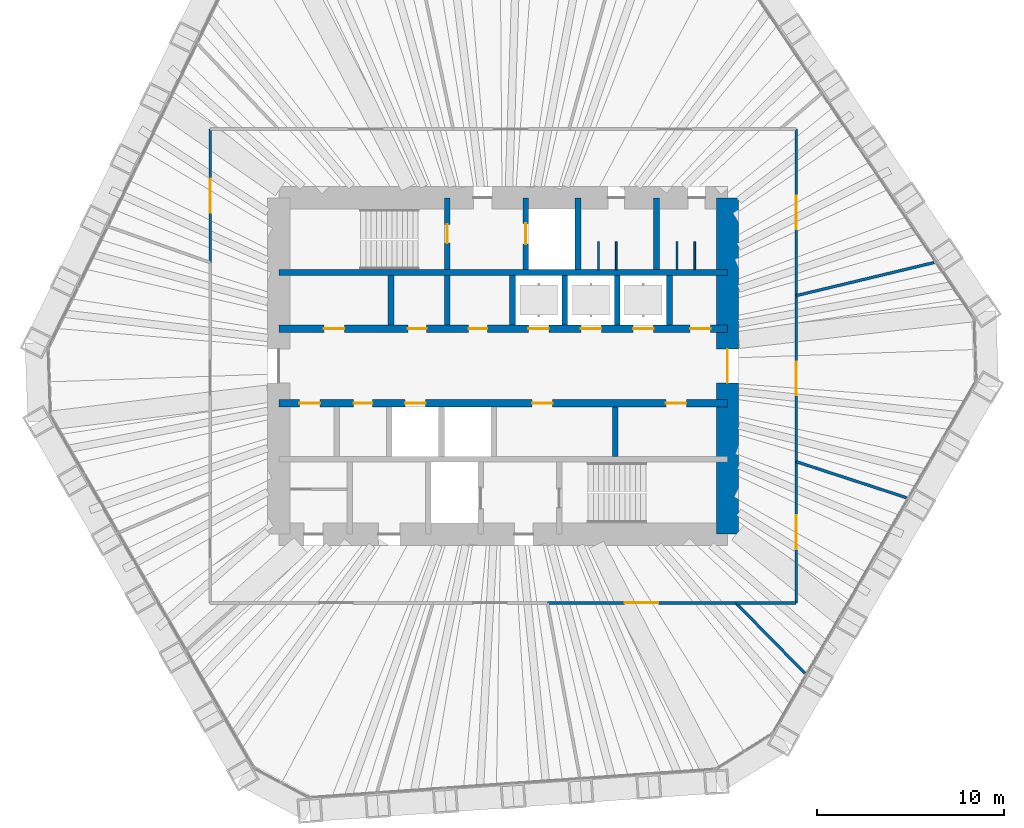
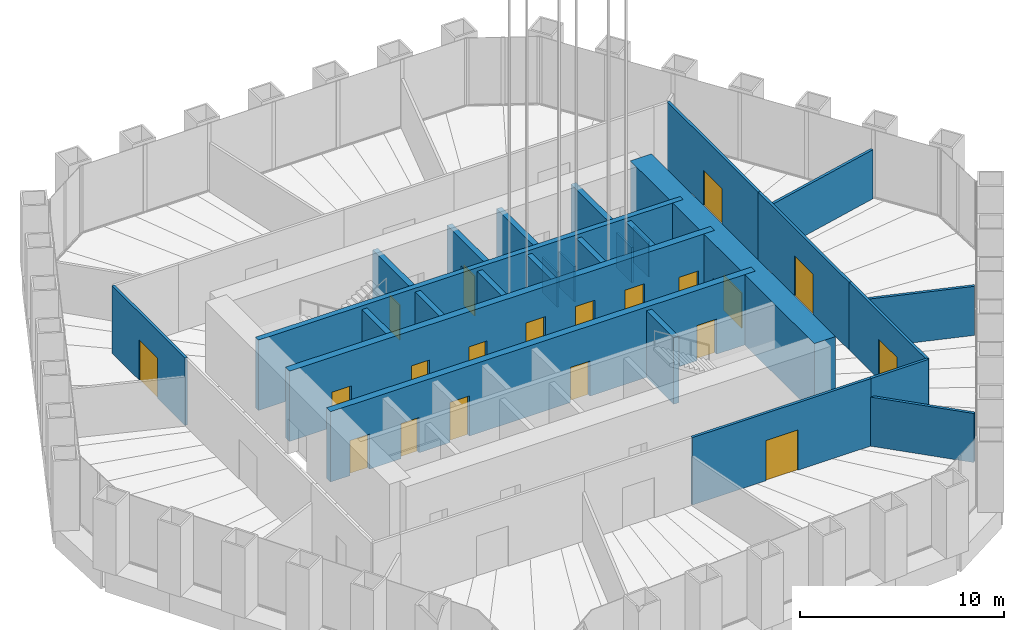
# One storey, part 11 of 20: 28 walls, 20 doors, 20 openings.
"""IFC4 building model written with IfcOpenShell, lengths in metres."""

from ifc_helpers import new_model, si_unit, direction, frame, frame_2d, origin, place, context, subcontext, project, spatial, rectangle, extrude, material, layer, layer_set, type_object, element, fill, save


model = new_model("IFC4")

# Units and contexts
model_context = context("Model", 3, precision=1e-05, world=origin(), true_north=direction((0.0, 1.0)))
body_context = subcontext(model_context, "Body", "Model", "MODEL_VIEW")
ifc_project = project(units=[si_unit("LENGTHUNIT", "METRE"), si_unit("AREAUNIT", "SQUARE_METRE"), si_unit("VOLUMEUNIT", "CUBIC_METRE"), si_unit("PLANEANGLEUNIT", "RADIAN"), si_unit("MASSUNIT", "GRAM", prefix="KILO")], contexts=[model_context])

# Site, building, storey
site_placement = place(None, origin())
site = spatial("IfcSite", under=ifc_project, at=site_placement, CompositionType="ELEMENT")
building_placement = place(site_placement, origin())
building = spatial("IfcBuilding", under=site, at=building_placement, Name="Qingtian Harvest Tower", CompositionType="ELEMENT")
storey_placement = place(building_placement, frame((0.0, 0.0, 180.39990234375)))
storey = spatial("IfcBuildingStorey", under=building, at=storey_placement, Name="L38", CompositionType="ELEMENT", Elevation=180.39990234375)

# Wall
ifc_material_1 = material(Name="Concrete fc' 70 MPa", Category="concrete")
ifc_layer_1 = layer(ifc_material_1, 0.300048828125)
ifc_layer_set_1 = layer_set([ifc_layer_1], Name="Core inner wall RC5 300")
wall_type_1 = type_object("IfcWallType", Name="Core inner wall RC5 300", PredefinedType="SHEAR", material=ifc_layer_set_1)
wall_1_placement = place(storey_placement, frame((-12.0, 5.0, 0.0), z_axis=(0.0, 0.0, 1.0), x_axis=(1.0, 0.0, 0.0)))
element("IfcWall", 1, at=wall_1_placement, inside=storey, type_object=wall_type_1, Name="Core wall IN5 L38", PredefinedType="SHEAR", context=body_context, shape_type="SweptSolid", body=[
    extrude(rectangle(XDim=24.0, YDim=0.300048828125, at=frame_2d((12.0, 0.0))), origin(), (0.0, 0.0, 1.0), 4.2001953125),
])

# Wall, openings, doors
ifc_material_2 = material(Name="Concrete fc' 70 MPa", Category="concrete")
ifc_layer_2 = layer(ifc_material_2, 0.39990234375)
ifc_layer_set_2 = layer_set([ifc_layer_2], Name="Core inner web RC6 400")
wall_type_2 = type_object("IfcWallType", Name="Core inner web RC6 400", PredefinedType="SHEAR", material=ifc_layer_set_2)
wall_2_placement = place(storey_placement, frame((-12.0, 2.0, 0.0), z_axis=(0.0, 0.0, 1.0), x_axis=(1.0, 0.0, 0.0)))
wall_2 = element("IfcWall", 2, at=wall_2_placement, inside=storey, type_object=wall_type_2, Name="Core wall IN2 L38", PredefinedType="SHEAR", context=body_context, shape_type="SweptSolid", body=[
    extrude(rectangle(XDim=24.0, YDim=0.39990234375, at=frame_2d((12.0, 0.0))), origin(), (0.0, 0.0, 1.0), 4.2001953125),
])
opening_1_placement = place(wall_2_placement, frame((2.39990234375, 0.0, 0.0)))
opening_1 = element("IfcOpeningElement", 3, at=opening_1_placement, cuts=wall_2, Name="Opening FD4", PredefinedType="OPENING", context=body_context, shape_type="SweptSolid", body=[
    extrude(rectangle(XDim=1.10009765625, YDim=2.10009765625, at=frame_2d((0.550048828125, 1.050048828125))), frame((0.0, 0.2099609375, 0.0), z_axis=(0.0, -1.0, 0.0), x_axis=(1.0, 0.0, 0.0)), (0.0, 0.0, 1.0), 0.419921875),
])
opening_2_placement = place(wall_2_placement, frame((22.0, 0.0, 0.0)))
opening_2 = element("IfcOpeningElement", 4, at=opening_2_placement, cuts=wall_2, Name="Opening FD4", PredefinedType="OPENING", context=body_context, shape_type="SweptSolid", body=[
    extrude(rectangle(XDim=1.10009765625, YDim=2.10009765625, at=frame_2d((0.550048828125, 1.050048828125))), frame((0.0, 0.2099609375, 0.0), z_axis=(0.0, -1.0, 0.0), x_axis=(1.0, 0.0, 0.0)), (0.0, 0.0, 1.0), 0.419921875),
])
opening_3_placement = place(wall_2_placement, frame((10.14990234375, 0.0, 0.0)))
opening_3 = element("IfcOpeningElement", 5, at=opening_3_placement, cuts=wall_2, Name="Opening FD1", PredefinedType="OPENING", context=body_context, shape_type="SweptSolid", body=[
    extrude(rectangle(XDim=1.0, YDim=2.10009765625, at=frame_2d((0.5, 1.050048828125))), frame((0.0, 0.2099609375, 0.0), z_axis=(0.0, -1.0, 0.0), x_axis=(1.0, 0.0, 0.0)), (0.0, 0.0, 1.0), 0.419921875),
])
opening_4_placement = place(wall_2_placement, frame((6.89990234375, 0.0, 0.0)))
opening_4 = element("IfcOpeningElement", 6, at=opening_4_placement, cuts=wall_2, Name="Opening FD1", PredefinedType="OPENING", context=body_context, shape_type="SweptSolid", body=[
    extrude(rectangle(XDim=1.0, YDim=2.10009765625, at=frame_2d((0.5, 1.050048828125))), frame((0.0, 0.2099609375, 0.0), z_axis=(0.0, -1.0, 0.0), x_axis=(1.0, 0.0, 0.0)), (0.0, 0.0, 1.0), 0.419921875),
])
opening_5_placement = place(wall_2_placement, frame((13.35009765625, 0.0, 0.0)))
opening_5 = element("IfcOpeningElement", 7, at=opening_5_placement, cuts=wall_2, Name="Opening LD1", PredefinedType="OPENING", context=body_context, shape_type="SweptSolid", body=[
    extrude(rectangle(XDim=1.10009765625, YDim=2.39990234375, at=frame_2d((0.550048828125, 1.199951171875))), frame((0.0, 0.2099609375, 0.0), z_axis=(0.0, -1.0, 0.0), x_axis=(1.0, 0.0, 0.0)), (0.0, 0.0, 1.0), 0.419921875),
])
opening_6_placement = place(wall_2_placement, frame((16.14990234375, 0.0, 0.0)))
opening_6 = element("IfcOpeningElement", 8, at=opening_6_placement, cuts=wall_2, Name="Opening LD1", PredefinedType="OPENING", context=body_context, shape_type="SweptSolid", body=[
    extrude(rectangle(XDim=1.10009765625, YDim=2.39990234375, at=frame_2d((0.550048828125, 1.199951171875))), frame((0.0, 0.2099609375, 0.0), z_axis=(0.0, -1.0, 0.0), x_axis=(1.0, 0.0, 0.0)), (0.0, 0.0, 1.0), 0.419921875),
])
opening_7_placement = place(wall_2_placement, frame((18.949951171875, 0.0, 0.0)))
opening_7 = element("IfcOpeningElement", 9, at=opening_7_placement, cuts=wall_2, Name="Opening LD1", PredefinedType="OPENING", context=body_context, shape_type="SweptSolid", body=[
    extrude(rectangle(XDim=1.10009765625, YDim=2.39990234375, at=frame_2d((0.550048828125, 1.199951171875))), frame((0.0, 0.2099609375, 0.0), z_axis=(0.0, -1.0, 0.0), x_axis=(1.0, 0.0, 0.0)), (0.0, 0.0, 1.0), 0.419921875),
])
ifc_material_3 = material(Name="Steel-faced door leaf", Category="steel")
door_type_1 = type_object("IfcDoorType", Name="Fire door FD1 single 1 HR", OperationType="SINGLE_SWING_LEFT", PredefinedType="DOOR", material=ifc_material_3)
door_1_placement = place(opening_3_placement, origin())
door_1 = element("IfcDoor", 10, at=door_1_placement, inside=storey, type_object=door_type_1, Name="STA door L38", OperationType="SINGLE_SWING_RIGHT", OverallHeight=2.10009765625, OverallWidth=1.0, PredefinedType="DOOR", context=body_context, shape_type="SweptSolid", body=[
    extrude(rectangle(XDim=1.0, YDim=2.10009765625, at=frame_2d((0.5, 1.050048828125))), frame((0.0, 0.02490234375, 0.0), z_axis=(0.0, -1.0, 0.0), x_axis=(1.0, 0.0, 0.0)), (0.0, 0.0, 1.0), 0.050048828125),
])
fill(opening_3, door_1)
door_2_placement = place(opening_4_placement, origin())
door_2 = element("IfcDoor", 11, at=door_2_placement, inside=storey, type_object=door_type_1, Name="IT room door L38", OperationType="SINGLE_SWING_LEFT", OverallHeight=2.10009765625, OverallWidth=1.0, PredefinedType="DOOR", context=body_context, shape_type="SweptSolid", body=[
    extrude(rectangle(XDim=1.0, YDim=2.10009765625, at=frame_2d((0.5, 1.050048828125))), frame((0.0, 0.02490234375, 0.0), z_axis=(0.0, -1.0, 0.0), x_axis=(1.0, 0.0, 0.0)), (0.0, 0.0, 1.0), 0.050048828125),
])
fill(opening_4, door_2)
ifc_material_4 = material(Name="Steel-faced door leaf", Category="steel")
door_type_2 = type_object("IfcDoorType", Name="Fire door FD4 single 2 HR", OperationType="SINGLE_SWING_LEFT", PredefinedType="DOOR", material=ifc_material_4)
door_3_placement = place(opening_1_placement, origin())
door_3 = element("IfcDoor", 12, at=door_3_placement, inside=storey, type_object=door_type_2, Name="RA door L38", OperationType="SINGLE_SWING_RIGHT", OverallHeight=2.10009765625, OverallWidth=1.10009765625, PredefinedType="DOOR", context=body_context, shape_type="SweptSolid", body=[
    extrude(rectangle(XDim=1.10009765625, YDim=2.10009765625, at=frame_2d((0.550048828125, 1.050048828125))), frame((0.0, 0.02490234375, 0.0), z_axis=(0.0, -1.0, 0.0), x_axis=(1.0, 0.0, 0.0)), (0.0, 0.0, 1.0), 0.050048828125),
])
fill(opening_1, door_3)
door_4_placement = place(opening_2_placement, origin())
door_4 = element("IfcDoor", 13, at=door_4_placement, inside=storey, type_object=door_type_2, Name="AHU door L38", OperationType="SINGLE_SWING_LEFT", OverallHeight=2.10009765625, OverallWidth=1.10009765625, PredefinedType="DOOR", context=body_context, shape_type="SweptSolid", body=[
    extrude(rectangle(XDim=1.10009765625, YDim=2.10009765625, at=frame_2d((0.550048828125, 1.050048828125))), frame((0.0, 0.02490234375, 0.0), z_axis=(0.0, -1.0, 0.0), x_axis=(1.0, 0.0, 0.0)), (0.0, 0.0, 1.0), 0.050048828125),
])
fill(opening_2, door_4)
ifc_material_5 = material(Name="Stainless steel lift landing door", Category="steel")
door_type_3 = type_object("IfcDoorType", Name="Lift landing door LD1 1 HR", OperationType="DOUBLE_DOOR_SLIDING", PredefinedType="DOOR", material=ifc_material_5)
door_5_placement = place(opening_5_placement, origin())
door_5 = element("IfcDoor", 14, at=door_5_placement, inside=storey, type_object=door_type_3, Name="PLC1 landing door L38", OperationType="DOUBLE_DOOR_SLIDING", OverallHeight=2.39990234375, OverallWidth=1.10009765625, PredefinedType="DOOR", context=body_context, shape_type="SweptSolid", body=[
    extrude(rectangle(XDim=1.10009765625, YDim=2.39990234375, at=frame_2d((0.550048828125, 1.199951171875))), frame((0.0, 0.02490234375, 0.0), z_axis=(0.0, -1.0, 0.0), x_axis=(1.0, 0.0, 0.0)), (0.0, 0.0, 1.0), 0.050048828125),
])
fill(opening_5, door_5)
door_6_placement = place(opening_6_placement, origin())
door_6 = element("IfcDoor", 15, at=door_6_placement, inside=storey, type_object=door_type_3, Name="PLC2 landing door L38", OperationType="DOUBLE_DOOR_SLIDING", OverallHeight=2.39990234375, OverallWidth=1.10009765625, PredefinedType="DOOR", context=body_context, shape_type="SweptSolid", body=[
    extrude(rectangle(XDim=1.10009765625, YDim=2.39990234375, at=frame_2d((0.550048828125, 1.199951171875))), frame((0.0, 0.02490234375, 0.0), z_axis=(0.0, -1.0, 0.0), x_axis=(1.0, 0.0, 0.0)), (0.0, 0.0, 1.0), 0.050048828125),
])
fill(opening_6, door_6)
door_7_placement = place(opening_7_placement, origin())
door_7 = element("IfcDoor", 16, at=door_7_placement, inside=storey, type_object=door_type_3, Name="PLC3 landing door L38", OperationType="DOUBLE_DOOR_SLIDING", OverallHeight=2.39990234375, OverallWidth=1.10009765625, PredefinedType="DOOR", context=body_context, shape_type="SweptSolid", body=[
    extrude(rectangle(XDim=1.10009765625, YDim=2.39990234375, at=frame_2d((0.550048828125, 1.199951171875))), frame((0.0, 0.02490234375, 0.0), z_axis=(0.0, -1.0, 0.0), x_axis=(1.0, 0.0, 0.0)), (0.0, 0.0, 1.0), 0.050048828125),
])
fill(opening_7, door_7)

wall_3_placement = place(storey_placement, frame((-12.0, -2.0, 0.0), z_axis=(0.0, 0.0, 1.0), x_axis=(1.0, 0.0, 0.0)))
wall_3 = element("IfcWall", 17, at=wall_3_placement, inside=storey, type_object=wall_type_2, Name="Core wall IS2 L38", PredefinedType="SHEAR", context=body_context, shape_type="SweptSolid", body=[
    extrude(rectangle(XDim=24.0, YDim=0.39990234375, at=frame_2d((12.0, 0.0))), origin(), (0.0, 0.0, 1.0), 4.2001953125),
])
opening_8_placement = place(wall_3_placement, frame((1.10009765625, 0.0, 0.0)))
opening_8 = element("IfcOpeningElement", 18, at=opening_8_placement, cuts=wall_3, Name="Opening FD4", PredefinedType="OPENING", context=body_context, shape_type="SweptSolid", body=[
    extrude(rectangle(XDim=1.10009765625, YDim=2.10009765625, at=frame_2d((0.550048828125, 1.050048828125))), frame((0.0, 0.2099609375, 0.0), z_axis=(0.0, -1.0, 0.0), x_axis=(1.0, 0.0, 0.0)), (0.0, 0.0, 1.0), 0.419921875),
])
opening_9_placement = place(wall_3_placement, frame((13.550048828125, 0.0, 0.0)))
opening_9 = element("IfcOpeningElement", 19, at=opening_9_placement, cuts=wall_3, Name="Opening FD4", PredefinedType="OPENING", context=body_context, shape_type="SweptSolid", body=[
    extrude(rectangle(XDim=1.10009765625, YDim=2.10009765625, at=frame_2d((0.550048828125, 1.050048828125))), frame((0.0, 0.2099609375, 0.0), z_axis=(0.0, -1.0, 0.0), x_axis=(1.0, 0.0, 0.0)), (0.0, 0.0, 1.0), 0.419921875),
])
opening_10_placement = place(wall_3_placement, frame((20.699951171875, 0.0, 0.0)))
opening_10 = element("IfcOpeningElement", 20, at=opening_10_placement, cuts=wall_3, Name="Opening FD4", PredefinedType="OPENING", context=body_context, shape_type="SweptSolid", body=[
    extrude(rectangle(XDim=1.10009765625, YDim=2.10009765625, at=frame_2d((0.550048828125, 1.050048828125))), frame((0.0, 0.2099609375, 0.0), z_axis=(0.0, -1.0, 0.0), x_axis=(1.0, 0.0, 0.0)), (0.0, 0.0, 1.0), 0.419921875),
])
opening_11_placement = place(wall_3_placement, frame((4.0, 0.0, 0.0)))
opening_11 = element("IfcOpeningElement", 21, at=opening_11_placement, cuts=wall_3, Name="Opening FD1", PredefinedType="OPENING", context=body_context, shape_type="SweptSolid", body=[
    extrude(rectangle(XDim=1.0, YDim=2.10009765625, at=frame_2d((0.5, 1.050048828125))), frame((0.0, 0.2099609375, 0.0), z_axis=(0.0, -1.0, 0.0), x_axis=(1.0, 0.0, 0.0)), (0.0, 0.0, 1.0), 0.419921875),
])
opening_12_placement = place(wall_3_placement, frame((6.75, 0.0, 0.0)))
opening_12 = element("IfcOpeningElement", 22, at=opening_12_placement, cuts=wall_3, Name="Opening LD1", PredefinedType="OPENING", context=body_context, shape_type="SweptSolid", body=[
    extrude(rectangle(XDim=1.10009765625, YDim=2.39990234375, at=frame_2d((0.550048828125, 1.199951171875))), frame((0.0, 0.2099609375, 0.0), z_axis=(0.0, -1.0, 0.0), x_axis=(1.0, 0.0, 0.0)), (0.0, 0.0, 1.0), 0.419921875),
])
door_8_placement = place(opening_11_placement, origin())
door_8 = element("IfcDoor", 23, at=door_8_placement, inside=storey, type_object=door_type_1, Name="Archive store door L38", OperationType="SINGLE_SWING_LEFT", OverallHeight=2.10009765625, OverallWidth=1.0, PredefinedType="DOOR", context=body_context, shape_type="SweptSolid", body=[
    extrude(rectangle(XDim=1.0, YDim=2.10009765625, at=frame_2d((0.5, 1.050048828125))), frame((0.0, 0.02490234375, 0.0), z_axis=(0.0, -1.0, 0.0), x_axis=(1.0, 0.0, 0.0)), (0.0, 0.0, 1.0), 0.050048828125),
])
fill(opening_11, door_8)
door_9_placement = place(opening_8_placement, origin())
door_9 = element("IfcDoor", 24, at=door_9_placement, inside=storey, type_object=door_type_2, Name="RB door L38", OperationType="SINGLE_SWING_RIGHT", OverallHeight=2.10009765625, OverallWidth=1.10009765625, PredefinedType="DOOR", context=body_context, shape_type="SweptSolid", body=[
    extrude(rectangle(XDim=1.10009765625, YDim=2.10009765625, at=frame_2d((0.550048828125, 1.050048828125))), frame((0.0, 0.02490234375, 0.0), z_axis=(0.0, -1.0, 0.0), x_axis=(1.0, 0.0, 0.0)), (0.0, 0.0, 1.0), 0.050048828125),
])
fill(opening_8, door_9)
door_10_placement = place(opening_9_placement, origin())
door_10 = element("IfcDoor", 25, at=door_10_placement, inside=storey, type_object=door_type_2, Name="ELEC door L38", OperationType="SINGLE_SWING_RIGHT", OverallHeight=2.10009765625, OverallWidth=1.10009765625, PredefinedType="DOOR", context=body_context, shape_type="SweptSolid", body=[
    extrude(rectangle(XDim=1.10009765625, YDim=2.10009765625, at=frame_2d((0.550048828125, 1.050048828125))), frame((0.0, 0.02490234375, 0.0), z_axis=(0.0, -1.0, 0.0), x_axis=(1.0, 0.0, 0.0)), (0.0, 0.0, 1.0), 0.050048828125),
])
fill(opening_9, door_10)
door_11_placement = place(opening_10_placement, origin())
door_11 = element("IfcDoor", 26, at=door_11_placement, inside=storey, type_object=door_type_2, Name="DUCT door L38", OperationType="SINGLE_SWING_LEFT", OverallHeight=2.10009765625, OverallWidth=1.10009765625, PredefinedType="DOOR", context=body_context, shape_type="SweptSolid", body=[
    extrude(rectangle(XDim=1.10009765625, YDim=2.10009765625, at=frame_2d((0.550048828125, 1.050048828125))), frame((0.0, 0.02490234375, 0.0), z_axis=(0.0, -1.0, 0.0), x_axis=(1.0, 0.0, 0.0)), (0.0, 0.0, 1.0), 0.050048828125),
])
fill(opening_10, door_11)
door_12_placement = place(opening_12_placement, origin())
door_12 = element("IfcDoor", 27, at=door_12_placement, inside=storey, type_object=door_type_3, Name="SH2 landing door L38", OperationType="DOUBLE_DOOR_SLIDING", OverallHeight=2.39990234375, OverallWidth=1.10009765625, PredefinedType="DOOR", context=body_context, shape_type="SweptSolid", body=[
    extrude(rectangle(XDim=1.10009765625, YDim=2.39990234375, at=frame_2d((0.550048828125, 1.199951171875))), frame((0.0, 0.02490234375, 0.0), z_axis=(0.0, -1.0, 0.0), x_axis=(1.0, 0.0, 0.0)), (0.0, 0.0, 1.0), 0.050048828125),
])
fill(opening_12, door_12)

# Wall, opening, door
ifc_material_6 = material(Name="Precast concrete shaft panel", Category="concrete")
ifc_layer_3 = layer(ifc_material_6, 0.300048828125)
ifc_layer_set_3 = layer_set([ifc_layer_3], Name="Core shaft partition SW1 300")
wall_type_3 = type_object("IfcWallType", Name="Core shaft partition SW1 300", PredefinedType="PARTITIONING", material=ifc_layer_set_3)
wall_4_placement = place(storey_placement, frame((-3.0, 5.14990234375, 0.0), z_axis=(0.0, 0.0, 1.0), x_axis=(0.0, 1.0, 0.0)))
wall_4 = element("IfcWall", 28, at=wall_4_placement, inside=storey, type_object=wall_type_3, Name="Core shaft partition XN1 L38", PredefinedType="PARTITIONING", context=body_context, shape_type="SweptSolid", body=[
    extrude(rectangle(XDim=3.85009765625, YDim=0.300048828125, at=frame_2d((1.925048828125, 0.0))), origin(), (0.0, 0.0, 1.0), 3.97998046875),
])
opening_13_placement = place(wall_4_placement, frame((1.425048828125, 0.0, 0.0)))
opening_13 = element("IfcOpeningElement", 29, at=opening_13_placement, cuts=wall_4, Name="Opening FD1", PredefinedType="OPENING", context=body_context, shape_type="SweptSolid", body=[
    extrude(rectangle(XDim=1.0, YDim=2.10009765625, at=frame_2d((0.5, 1.050048828125))), frame((0.0, 0.159912109375, 0.0), z_axis=(0.0, -1.0, 0.0), x_axis=(1.0, 0.0, 0.0)), (0.0, 0.0, 1.0), 0.320068359375),
])
door_13_placement = place(opening_13_placement, origin())
door_13 = element("IfcDoor", 30, at=door_13_placement, inside=storey, type_object=door_type_1, Name="S1 door L38", OperationType="SINGLE_SWING_LEFT", OverallHeight=2.10009765625, OverallWidth=1.0, PredefinedType="DOOR", context=body_context, shape_type="SweptSolid", body=[
    extrude(rectangle(XDim=1.0, YDim=2.10009765625, at=frame_2d((0.5, 1.050048828125))), frame((0.0, 0.02490234375, 0.0), z_axis=(0.0, -1.0, 0.0), x_axis=(1.0, 0.0, 0.0)), (0.0, 0.0, 1.0), 0.050048828125),
])
fill(opening_13, door_13)

wall_5_placement = place(storey_placement, frame((1.199951171875, 5.14990234375, 0.0), z_axis=(0.0, 0.0, 1.0), x_axis=(0.0, 1.0, 0.0)))
wall_5 = element("IfcWall", 31, at=wall_5_placement, inside=storey, type_object=wall_type_3, Name="Core shaft partition XN2 L38", PredefinedType="PARTITIONING", context=body_context, shape_type="SweptSolid", body=[
    extrude(rectangle(XDim=3.85009765625, YDim=0.300048828125, at=frame_2d((1.925048828125, 0.0))), origin(), (0.0, 0.0, 1.0), 3.97998046875),
])
opening_14_placement = place(wall_5_placement, frame((1.375, 0.0, 0.0)))
opening_14 = element("IfcOpeningElement", 32, at=opening_14_placement, cuts=wall_5, Name="Opening LD1", PredefinedType="OPENING", context=body_context, shape_type="SweptSolid", body=[
    extrude(rectangle(XDim=1.10009765625, YDim=2.39990234375, at=frame_2d((0.550048828125, 1.199951171875))), frame((0.0, 0.159912109375, 0.0), z_axis=(0.0, -1.0, 0.0), x_axis=(1.0, 0.0, 0.0)), (0.0, 0.0, 1.0), 0.320068359375),
])
door_14_placement = place(opening_14_placement, origin())
door_14 = element("IfcDoor", 33, at=door_14_placement, inside=storey, type_object=door_type_3, Name="FL1 landing door L38", OperationType="DOUBLE_DOOR_SLIDING", OverallHeight=2.39990234375, OverallWidth=1.10009765625, PredefinedType="DOOR", context=body_context, shape_type="SweptSolid", body=[
    extrude(rectangle(XDim=1.10009765625, YDim=2.39990234375, at=frame_2d((0.550048828125, 1.199951171875))), frame((0.0, 0.02490234375, 0.0), z_axis=(0.0, -1.0, 0.0), x_axis=(1.0, 0.0, 0.0)), (0.0, 0.0, 1.0), 0.050048828125),
])
fill(opening_14, door_14)

# Walls
for number, where, z_axis, x_axis, name in (
    (34, (4.0, 5.14990234375, 0.0), (0.0, 0.0, 1.0), (0.0, 1.0, 0.0), "Core shaft partition XN3 L38"),
    (35, (8.199951171875, 5.14990234375, 0.0), (0.0, 0.0, 1.0), (0.0, 1.0, 0.0), "Core shaft partition XN4 L38"),
):
    element("IfcWall", number, at=place(storey_placement, frame(where, z_axis=z_axis, x_axis=x_axis)), inside=storey, type_object=wall_type_3, Name=name, PredefinedType="PARTITIONING", context=body_context, shape_type="SweptSolid", body=[
        extrude(rectangle(XDim=3.85009765625, YDim=0.300048828125, at=frame_2d((1.925048828125, 0.0))), origin(), (0.0, 0.0, 1.0), 3.97998046875),
    ])
for number, where, z_axis, x_axis, name in (
    (36, (-6.0, 2.199951171875, 0.0), (0.0, 0.0, 1.0), (0.0, 1.0, 0.0), "Core shaft partition XA1 L38"),
    (37, (-3.0, 2.199951171875, 0.0), (0.0, 0.0, 1.0), (0.0, 1.0, 0.0), "Core shaft partition XA2 L38"),
    (38, (0.5, 2.199951171875, 0.0), (0.0, 0.0, 1.0), (0.0, 1.0, 0.0), "Core shaft partition XA3 L38"),
    (39, (3.300048828125, 2.199951171875, 0.0), (0.0, 0.0, 1.0), (0.0, 1.0, 0.0), "Core shaft partition XA4 L38"),
    (40, (6.10009765625, 2.199951171875, 0.0), (0.0, 0.0, 1.0), (0.0, 1.0, 0.0), "Core shaft partition XA5 L38"),
    (41, (8.89990234375, 2.199951171875, 0.0), (0.0, 0.0, 1.0), (0.0, 1.0, 0.0), "Core shaft partition XA6 L38"),
    (42, (6.0, -4.85009765625, 0.0), (0.0, 0.0, 1.0), (0.0, 1.0, 0.0), "Core shaft partition XB5 L38"),
):
    element("IfcWall", number, at=place(storey_placement, frame(where, z_axis=z_axis, x_axis=x_axis)), inside=storey, type_object=wall_type_3, Name=name, PredefinedType="PARTITIONING", context=body_context, shape_type="SweptSolid", body=[
        extrude(rectangle(XDim=2.650146484375, YDim=0.300048828125, at=frame_2d((1.3251953125, 0.0))), origin(), (0.0, 0.0, 1.0), 3.97998046875),
    ])

# Wall, opening, door
ifc_material_7 = material(Name="Concrete fc' 70 MPa", Category="concrete")
ifc_layer_4 = layer(ifc_material_7, 1.199951171875)
ifc_layer_set_4 = layer_set([ifc_layer_4], Name="Core wall RC2 1200")
wall_type_4 = type_object("IfcWallType", Name="Core wall RC2 1200", PredefinedType="SHEAR", material=ifc_layer_set_4)
wall_6_placement = place(storey_placement, frame((12.0, -9.0, 0.0), z_axis=(0.0, 0.0, 1.0), x_axis=(0.0, 1.0, 0.0)))
wall_6 = element("IfcWall", 43, at=wall_6_placement, inside=storey, type_object=wall_type_4, Name="Core wall CE L38", PredefinedType="SHEAR", context=body_context, shape_type="SweptSolid", body=[
    extrude(rectangle(XDim=18.0, YDim=1.199951171875, at=frame_2d((9.0, 0.0))), origin(), (0.0, 0.0, 1.0), 4.2001953125),
])
opening_15_placement = place(wall_6_placement, frame((8.10009765625, 0.0, 0.0)))
opening_15 = element("IfcOpeningElement", 44, at=opening_15_placement, cuts=wall_6, Name="Opening FD2", PredefinedType="OPENING", context=body_context, shape_type="SweptSolid", body=[
    extrude(rectangle(XDim=1.800048828125, YDim=2.10009765625, at=frame_2d((0.89990234375, 1.050048828125))), frame((0.0, 0.60986328125, 0.0), z_axis=(0.0, -1.0, 0.0), x_axis=(1.0, 0.0, 0.0)), (0.0, 0.0, 1.0), 1.219970703125),
])
ifc_material_8 = material(Name="Steel-faced door leaf", Category="steel")
door_type_4 = type_object("IfcDoorType", Name="Fire door FD2 double 1 HR", OperationType="DOUBLE_DOOR_DOUBLE_SWING", PredefinedType="DOOR", material=ifc_material_8)
door_15_placement = place(opening_15_placement, origin())
door_15 = element("IfcDoor", 45, at=door_15_placement, inside=storey, type_object=door_type_4, Name="LOBBY-E door L38", OperationType="DOUBLE_DOOR_DOUBLE_SWING", OverallHeight=2.10009765625, OverallWidth=1.800048828125, PredefinedType="DOOR", context=body_context, shape_type="SweptSolid", body=[
    extrude(rectangle(XDim=1.800048828125, YDim=2.10009765625, at=frame_2d((0.89990234375, 1.050048828125))), frame((0.0, 0.02490234375, 0.0), z_axis=(0.0, -1.0, 0.0), x_axis=(1.0, 0.0, 0.0)), (0.0, 0.0, 1.0), 0.050048828125),
])
fill(opening_15, door_15)

ifc_material_9 = material(Name="Fire-rated gypsum board on steel studs", Category="steel")
ifc_layer_5 = layer(ifc_material_9, 0.14990234375)
ifc_layer_set_5 = layer_set([ifc_layer_5], Name="Fire partition FW3 150 1 HR")
wall_type_5 = type_object("IfcWallType", Name="Fire partition FW3 150 1 HR", PredefinedType="PARTITIONING", material=ifc_layer_set_5)
wall_7_placement = place(storey_placement, frame((15.675048828125, 12.675048828125, 0.0), z_axis=(0.0, 0.0, 1.0), x_axis=(0.0, -1.0, 0.0)))
wall_7 = element("IfcWall", 46, at=wall_7_placement, inside=storey, type_object=wall_type_5, Name="Sky lobby lounge wall L38", PredefinedType="PARTITIONING", context=body_context, shape_type="SweptSolid", body=[
    extrude(rectangle(XDim=8.912353515625, YDim=0.14990234375, at=frame_2d((4.4560546875, 0.0))), origin(), (0.0, 0.0, 1.0), 4.030029296875),
])
opening_16_placement = place(wall_7_placement, frame((3.55615234375, 0.0, 0.0)))
opening_16 = element("IfcOpeningElement", 47, at=opening_16_placement, cuts=wall_7, Name="Opening FD2", PredefinedType="OPENING", context=body_context, shape_type="SweptSolid", body=[
    extrude(rectangle(XDim=1.800048828125, YDim=2.10009765625, at=frame_2d((0.89990234375, 1.050048828125))), frame((0.0, 0.0849609375, 0.0), z_axis=(0.0, -1.0, 0.0), x_axis=(1.0, 0.0, 0.0)), (0.0, 0.0, 1.0), 0.169921875),
])
door_16_placement = place(opening_16_placement, origin())
door_16 = element("IfcDoor", 48, at=door_16_placement, inside=storey, type_object=door_type_4, Name="Sky lobby lounge door L38", OperationType="DOUBLE_DOOR_DOUBLE_SWING", OverallHeight=2.10009765625, OverallWidth=1.800048828125, PredefinedType="DOOR", context=body_context, shape_type="SweptSolid", body=[
    extrude(rectangle(XDim=1.800048828125, YDim=2.10009765625, at=frame_2d((0.89990234375, 1.050048828125))), frame((0.0, 0.02490234375, 0.0), z_axis=(0.0, -1.0, 0.0), x_axis=(1.0, 0.0, 0.0)), (0.0, 0.0, 1.0), 0.050048828125),
])
fill(opening_16, door_16)

# Wall
wall_8_placement = place(storey_placement, frame((23.052978515625, 5.53369140625, 0.0), z_axis=(0.0, 0.0, 1.0), x_axis=(-0.97237853912, -0.233409461376, 0.0)))
element("IfcWall", 49, at=wall_8_placement, inside=storey, type_object=wall_type_5, Name="Conference room wall L38", PredefinedType="PARTITIONING", context=body_context, shape_type="SweptSolid", body=[
    extrude(rectangle(XDim=7.58740234375, YDim=0.14990234375, at=frame_2d((3.793701171875, 0.0))), origin(), (0.0, 0.0, 1.0), 2.93017578125),
])

# Wall, opening, door
ifc_material_10 = material(Name="Gypsum board on steel studs", Category="steel")
ifc_layer_6 = layer(ifc_material_10, 0.14990234375)
ifc_layer_set_6 = layer_set([ifc_layer_6], Name="Partition PT1 150")
wall_type_6 = type_object("IfcWallType", Name="Partition PT1 150", PredefinedType="PARTITIONING", material=ifc_layer_set_6)
wall_9_placement = place(storey_placement, frame((15.675048828125, 3.7626953125, 0.0), z_axis=(0.0, 0.0, 1.0), x_axis=(0.0, -1.0, 0.0)))
wall_9 = element("IfcWall", 50, at=wall_9_placement, inside=storey, type_object=wall_type_6, Name="Conference room wall L38", PredefinedType="PARTITIONING", context=body_context, shape_type="SweptSolid", body=[
    extrude(rectangle(XDim=8.8818359375, YDim=0.14990234375, at=frame_2d((4.44091796875, 0.0))), origin(), (0.0, 0.0, 1.0), 4.030029296875),
])
opening_17_placement = place(wall_9_placement, frame((3.541015625, 0.0, 0.0)))
opening_17 = element("IfcOpeningElement", 51, at=opening_17_placement, cuts=wall_9, Name="Opening D3", PredefinedType="OPENING", context=body_context, shape_type="SweptSolid", body=[
    extrude(rectangle(XDim=1.800048828125, YDim=2.39990234375, at=frame_2d((0.89990234375, 1.199951171875))), frame((0.0, 0.0849609375, 0.0), z_axis=(0.0, -1.0, 0.0), x_axis=(1.0, 0.0, 0.0)), (0.0, 0.0, 1.0), 0.169921875),
])
ifc_material_11 = material(Name="Laminated timber door leaf", Category="wood")
door_type_5 = type_object("IfcDoorType", Name="Room door D3 double", OperationType="DOUBLE_DOOR_DOUBLE_SWING", PredefinedType="DOOR", material=ifc_material_11)
door_17_placement = place(opening_17_placement, origin())
door_17 = element("IfcDoor", 52, at=door_17_placement, inside=storey, type_object=door_type_5, Name="Conference room door L38", OperationType="DOUBLE_DOOR_DOUBLE_SWING", OverallHeight=2.39990234375, OverallWidth=1.800048828125, PredefinedType="DOOR", context=body_context, shape_type="SweptSolid", body=[
    extrude(rectangle(XDim=1.800048828125, YDim=2.39990234375, at=frame_2d((0.89990234375, 1.199951171875))), frame((0.0, 0.02490234375, 0.0), z_axis=(0.0, -1.0, 0.0), x_axis=(1.0, 0.0, 0.0)), (0.0, 0.0, 1.0), 0.050048828125),
])
fill(opening_17, door_17)

# Wall
wall_10_placement = place(storey_placement, frame((21.56982421875, -7.04443359375, 0.0), z_axis=(0.0, 0.0, 1.0), x_axis=(-0.950583168705, 0.310470029754, 0.0)))
element("IfcWall", 53, at=wall_10_placement, inside=storey, type_object=wall_type_6, Name="Reception wall L38", PredefinedType="PARTITIONING", context=body_context, shape_type="SweptSolid", body=[
    extrude(rectangle(XDim=6.201171875, YDim=0.14990234375, at=frame_2d((3.1005859375, 0.0))), origin(), (0.0, 0.0, 1.0), 2.93017578125),
])

# Wall, opening, door
wall_11_placement = place(storey_placement, frame((15.675048828125, -5.119140625, 0.0), z_axis=(0.0, 0.0, 1.0), x_axis=(0.0, -1.0, 0.0)))
wall_11 = element("IfcWall", 54, at=wall_11_placement, inside=storey, type_object=wall_type_6, Name="Reception wall L38", PredefinedType="PARTITIONING", context=body_context, shape_type="SweptSolid", body=[
    extrude(rectangle(XDim=7.555908203125, YDim=0.14990234375, at=frame_2d((3.77783203125, 0.0))), origin(), (0.0, 0.0, 1.0), 4.030029296875),
])
opening_18_placement = place(wall_11_placement, frame((2.8779296875, 0.0, 0.0)))
opening_18 = element("IfcOpeningElement", 55, at=opening_18_placement, cuts=wall_11, Name="Opening D3", PredefinedType="OPENING", context=body_context, shape_type="SweptSolid", body=[
    extrude(rectangle(XDim=1.800048828125, YDim=2.39990234375, at=frame_2d((0.89990234375, 1.199951171875))), frame((0.0, 0.0849609375, 0.0), z_axis=(0.0, -1.0, 0.0), x_axis=(1.0, 0.0, 0.0)), (0.0, 0.0, 1.0), 0.169921875),
])
door_18_placement = place(opening_18_placement, origin())
door_18 = element("IfcDoor", 56, at=door_18_placement, inside=storey, type_object=door_type_5, Name="Reception door L38", OperationType="DOUBLE_DOOR_DOUBLE_SWING", OverallHeight=2.39990234375, OverallWidth=1.800048828125, PredefinedType="DOOR", context=body_context, shape_type="SweptSolid", body=[
    extrude(rectangle(XDim=1.800048828125, YDim=2.39990234375, at=frame_2d((0.89990234375, 1.199951171875))), frame((0.0, 0.02490234375, 0.0), z_axis=(0.0, -1.0, 0.0), x_axis=(1.0, 0.0, 0.0)), (0.0, 0.0, 1.0), 0.050048828125),
])
fill(opening_18, door_18)

# Walls
wall_12_placement = place(storey_placement, frame((15.675048828125, -12.675048828125, 0.0), z_axis=(0.0, 0.0, 1.0), x_axis=(-1.0, 0.0, 0.0)))
element("IfcWall", 57, at=wall_12_placement, inside=storey, type_object=wall_type_6, Name="Reception wall L38", PredefinedType="PARTITIONING", context=body_context, shape_type="SweptSolid", body=[
    extrude(rectangle(XDim=3.231201171875, YDim=0.14990234375, at=frame_2d((1.61572265625, 0.0))), origin(), (0.0, 0.0, 1.0), 4.030029296875),
])
wall_13_placement = place(storey_placement, frame((16.14453125, -16.4443359375, 0.0), z_axis=(0.0, 0.0, 1.0), x_axis=(-0.700583233902, 0.713570691926, 0.0)))
element("IfcWall", 58, at=wall_13_placement, inside=storey, type_object=wall_type_6, Name="Tenant lounge wall L38", PredefinedType="PARTITIONING", context=body_context, shape_type="SweptSolid", body=[
    extrude(rectangle(XDim=5.2822265625, YDim=0.14990234375, at=frame_2d((2.64111328125, 0.0))), origin(), (0.0, 0.0, 1.0), 2.93017578125),
])

# Wall, opening, door
wall_14_placement = place(storey_placement, frame((12.44384765625, -12.675048828125, 0.0), z_axis=(0.0, 0.0, 1.0), x_axis=(-1.0, 0.0, 0.0)))
wall_14 = element("IfcWall", 59, at=wall_14_placement, inside=storey, type_object=wall_type_6, Name="Tenant lounge wall L38", PredefinedType="PARTITIONING", context=body_context, shape_type="SweptSolid", body=[
    extrude(rectangle(XDim=10.082275390625, YDim=0.14990234375, at=frame_2d((5.041015625, 0.0))), origin(), (0.0, 0.0, 1.0), 4.030029296875),
])
opening_19_placement = place(wall_14_placement, frame((4.14111328125, 0.0, 0.0)))
opening_19 = element("IfcOpeningElement", 60, at=opening_19_placement, cuts=wall_14, Name="Opening D3", PredefinedType="OPENING", context=body_context, shape_type="SweptSolid", body=[
    extrude(rectangle(XDim=1.800048828125, YDim=2.39990234375, at=frame_2d((0.89990234375, 1.199951171875))), frame((0.0, 0.0849609375, 0.0), z_axis=(0.0, -1.0, 0.0), x_axis=(1.0, 0.0, 0.0)), (0.0, 0.0, 1.0), 0.169921875),
])
door_19_placement = place(opening_19_placement, origin())
door_19 = element("IfcDoor", 61, at=door_19_placement, inside=storey, type_object=door_type_5, Name="Tenant lounge door L38", OperationType="DOUBLE_DOOR_DOUBLE_SWING", OverallHeight=2.39990234375, OverallWidth=1.800048828125, PredefinedType="DOOR", context=body_context, shape_type="SweptSolid", body=[
    extrude(rectangle(XDim=1.800048828125, YDim=2.39990234375, at=frame_2d((0.89990234375, 1.199951171875))), frame((0.0, 0.02490234375, 0.0), z_axis=(0.0, -1.0, 0.0), x_axis=(1.0, 0.0, 0.0)), (0.0, 0.0, 1.0), 0.050048828125),
])
fill(opening_19, door_19)

wall_15_placement = place(storey_placement, frame((-15.675048828125, 5.5341796875, 0.0), z_axis=(0.0, 0.0, 1.0), x_axis=(0.0, 1.0, 0.0)))
wall_15 = element("IfcWall", 62, at=wall_15_placement, inside=storey, type_object=wall_type_6, Name="Training room wall L38", PredefinedType="PARTITIONING", context=body_context, shape_type="SweptSolid", body=[
    extrude(rectangle(XDim=7.140869140625, YDim=0.14990234375, at=frame_2d((3.5703125, 0.0))), origin(), (0.0, 0.0, 1.0), 4.030029296875),
])
opening_20_placement = place(wall_15_placement, frame((2.67041015625, 0.0, 0.0)))
opening_20 = element("IfcOpeningElement", 63, at=opening_20_placement, cuts=wall_15, Name="Opening D3", PredefinedType="OPENING", context=body_context, shape_type="SweptSolid", body=[
    extrude(rectangle(XDim=1.800048828125, YDim=2.39990234375, at=frame_2d((0.89990234375, 1.199951171875))), frame((0.0, 0.0849609375, 0.0), z_axis=(0.0, -1.0, 0.0), x_axis=(1.0, 0.0, 0.0)), (0.0, 0.0, 1.0), 0.169921875),
])
door_20_placement = place(opening_20_placement, origin())
door_20 = element("IfcDoor", 64, at=door_20_placement, inside=storey, type_object=door_type_5, Name="Training room door L38", OperationType="DOUBLE_DOOR_DOUBLE_SWING", OverallHeight=2.39990234375, OverallWidth=1.800048828125, PredefinedType="DOOR", context=body_context, shape_type="SweptSolid", body=[
    extrude(rectangle(XDim=1.800048828125, YDim=2.39990234375, at=frame_2d((0.89990234375, 1.199951171875))), frame((0.0, 0.02490234375, 0.0), z_axis=(0.0, -1.0, 0.0), x_axis=(1.0, 0.0, 0.0)), (0.0, 0.0, 1.0), 0.050048828125),
])
fill(opening_20, door_20)

# Walls
ifc_material_12 = material(Name="Compact laminate cubicle partition", Category="plastic")
ifc_layer_7 = layer(ifc_material_12, 0.10009765625)
ifc_layer_set_7 = layer_set([ifc_layer_7], Name="WC cubicle partition WP1 100")
wall_type_7 = type_object("IfcWallType", Name="WC cubicle partition WP1 100", PredefinedType="PARTITIONING", material=ifc_layer_set_7)
for number, where, z_axis, x_axis, name in (
    (65, (5.10009765625, 5.14990234375, 0.0), (0.0, 0.0, 1.0), (0.0, 1.0, 0.0), "WC cubicle partition WCM L38"),
    (66, (6.050048828125, 5.14990234375, 0.0), (0.0, 0.0, 1.0), (0.0, 1.0, 0.0), "WC cubicle partition WCM L38"),
    (67, (9.300048828125, 5.14990234375, 0.0), (0.0, 0.0, 1.0), (0.0, 1.0, 0.0), "WC cubicle partition WCF L38"),
    (68, (10.25, 5.14990234375, 0.0), (0.0, 0.0, 1.0), (0.0, 1.0, 0.0), "WC cubicle partition WCF L38"),
):
    element("IfcWall", number, at=place(storey_placement, frame(where, z_axis=z_axis, x_axis=x_axis)), inside=storey, type_object=wall_type_7, Name=name, PredefinedType="PARTITIONING", context=body_context, shape_type="SweptSolid", body=[
        extrude(rectangle(XDim=1.5, YDim=0.10009765625, at=frame_2d((0.75, 0.0))), origin(), (0.0, 0.0, 1.0), 2.10009765625),
    ])

save(model, "model.ifc")
